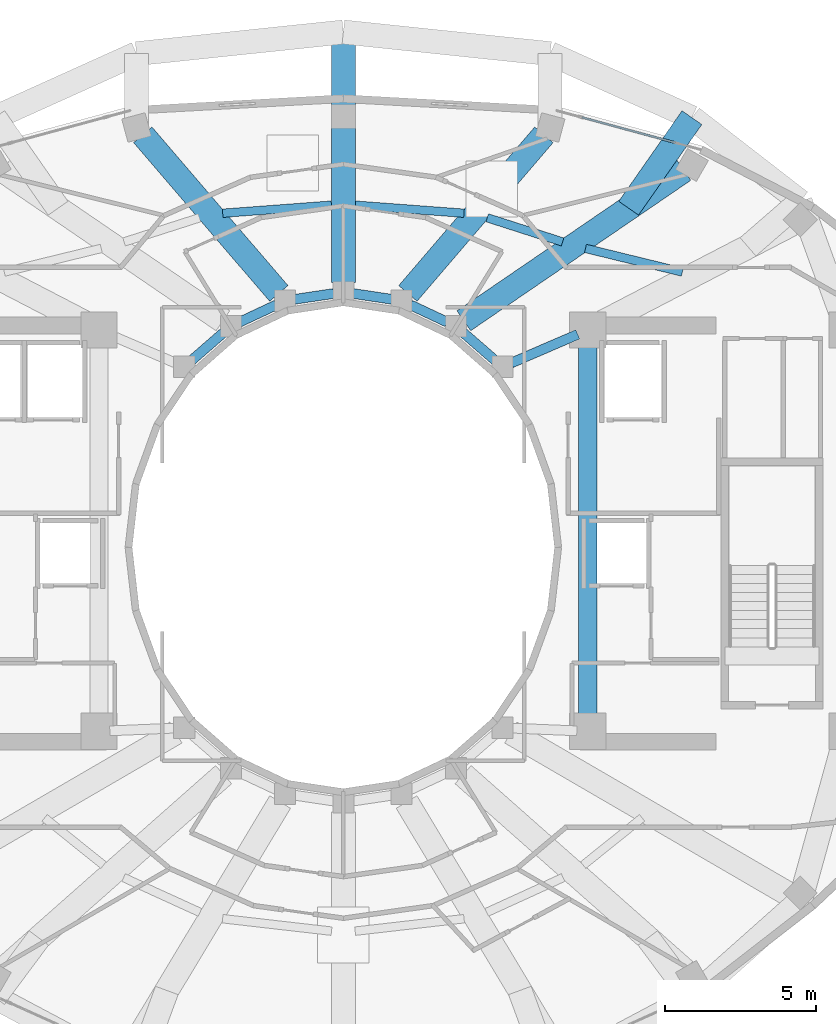
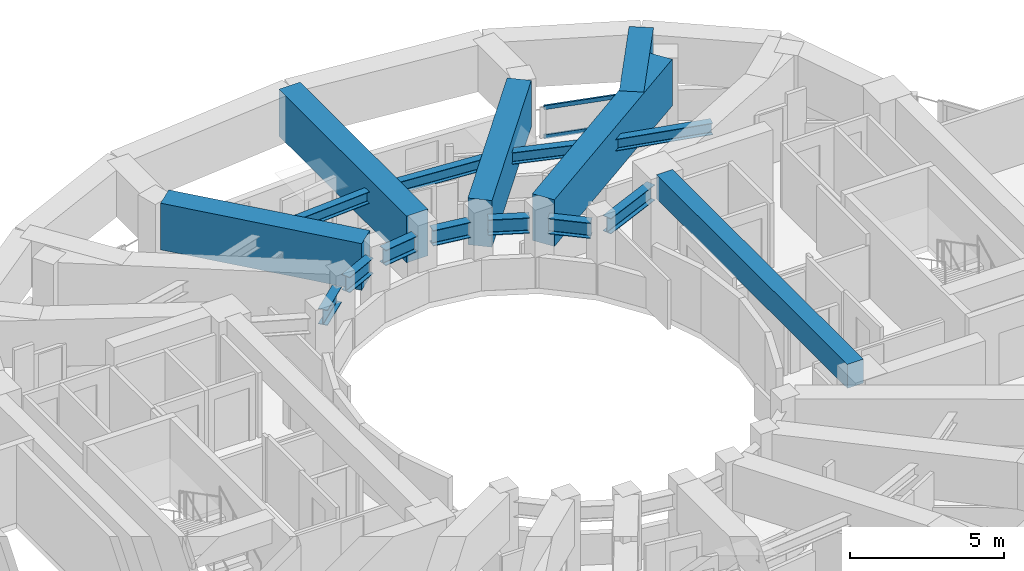
# One storey, part 7 of 20: 17 beams, 2 members, 1 element without a shape of its own.
"""IFC4 building model written with IfcOpenShell, lengths in metres."""

from ifc_helpers import new_model, si_unit, direction, frame, origin, origin_2d, place, context, subcontext, project, spatial, rectangle, hollow_rectangle, i_section, extrude, material, layer, layer_set, material_profile, profile_set, type_object, element, aggregate, save


model = new_model("IFC4")

# Units and contexts
model_context = context("Model", 3, precision=1e-05, world=origin(), true_north=direction((0.0, 1.0)))
body_context = subcontext(model_context, "Body", "Model", "MODEL_VIEW")
ifc_project = project(units=[si_unit("LENGTHUNIT", "METRE"), si_unit("AREAUNIT", "SQUARE_METRE"), si_unit("VOLUMEUNIT", "CUBIC_METRE"), si_unit("PLANEANGLEUNIT", "RADIAN"), si_unit("MASSUNIT", "GRAM", prefix="KILO")], contexts=[model_context])

# Site, building, storey
site_placement = place(None, origin())
site = spatial("IfcSite", under=ifc_project, at=site_placement, CompositionType="ELEMENT")
building_placement = place(site_placement, origin())
building = spatial("IfcBuilding", under=site, at=building_placement, Name="Solvane Sanctuary Tower", CompositionType="ELEMENT")
storey_placement = place(building_placement, frame((0.0, 0.0, 217.10009765625)))
storey = spatial("IfcBuildingStorey", under=building, at=storey_placement, Name="L66", CompositionType="ELEMENT", Elevation=217.10009765625)

# Beams
ifc_material_1 = material(Name="Concrete C70/85", Category="concrete")
ifc_material_profile_1 = material_profile(ifc_material_1, rectangle(XDim=0.60009765625, YDim=0.949951171875, at=origin_2d()), Name="RC600X950")
ifc_profile_set_1 = profile_set([ifc_material_profile_1], Name="Concrete C70/85")
beam_type_1 = type_object("IfcBeamType", Name="Beam B-COUPLE RC600X950", PredefinedType="LINTEL", material=ifc_profile_set_1)
beam_1_placement = place(storey_placement, frame((40.10009765625, 17.35009765625, 2.625), z_axis=(0.0, 1.0, 0.0), x_axis=(-1.0, 0.0, 0.0)))
element("IfcBeam", 1, at=beam_1_placement, inside=storey, type_object=beam_type_1, Name="L66 East Core Coupling Lintel", PredefinedType="LINTEL", context=body_context, shape_type="SweptSolid", body=[
    extrude(rectangle(XDim=0.60009765625, YDim=0.949951171875, at=origin_2d()), origin(), (0.0, 0.0, 1.0), 12.39990234375),
])
ifc_material_2 = material(Name="Steel ASTM A992 Grade 50", Category="steel")
ifc_material_profile_2 = material_profile(ifc_material_2, i_section(OverallWidth=0.324951171875, OverallDepth=0.615966796875, WebThickness=0.013916015625, FlangeThickness=0.021484375, FilletRadius=0.01611328125, at=origin_2d()), Name="W24X117")
ifc_profile_set_2 = profile_set([ifc_material_profile_2], Name="Steel ASTM A992 Grade 50")
beam_type_2 = type_object("IfcBeamType", Name="Beam B-RING-IN2 W24X117", PredefinedType="BEAM", material=ifc_profile_set_2)
beam_2_placement = place(storey_placement, frame((26.96630859375, 29.192138671875, 2.289794921875), z_axis=(0.754388985763, 0.656427648839, 0.0), x_axis=(-0.656427648839, 0.754388985763, 0.0)))
element("IfcBeam", 2, at=beam_2_placement, inside=storey, type_object=beam_type_2, Name="L66 Inner Light-Well Ring Beam IC07-IC06", PredefinedType="BEAM", context=body_context, shape_type="SweptSolid", body=[
    extrude(i_section(OverallWidth=0.324951171875, OverallDepth=0.615966796875, WebThickness=0.013916015625, FlangeThickness=0.021484375, FilletRadius=0.01611328125, at=origin_2d()), origin(), (0.0, 0.0, 1.0), 1.408203125),
])
beam_3_placement = place(storey_placement, frame((28.5595703125, 30.462646484375, 2.289794921875), z_axis=(0.905134542189, 0.425125229241, 0.0), x_axis=(-0.425125229241, 0.905134542189, 0.0)))
element("IfcBeam", 3, at=beam_3_placement, inside=storey, type_object=beam_type_2, Name="L66 Inner Light-Well Ring Beam IC06-IC05", PredefinedType="BEAM", context=body_context, shape_type="SweptSolid", body=[
    extrude(i_section(OverallWidth=0.324951171875, OverallDepth=0.615966796875, WebThickness=0.013916015625, FlangeThickness=0.021484375, FilletRadius=0.01611328125, at=origin_2d()), origin(), (0.0, 0.0, 1.0), 1.347900390625),
])
for number, where, z_axis, x_axis, name in (
    (4, (30.3857421875, 31.218994140625, 2.289794921875), (0.989056121481, 0.147539786368, 0.0), (-0.147539786368, 0.989056121481, 0.0), "L66 Inner Light-Well Ring Beam IC05-IC04"),
    (5, (32.31640625, 31.41259765625, 2.289794921875), (0.989056121481, -0.147539786368, 0.0), (0.147539786368, 0.989056121481, 0.0), "L66 Inner Light-Well Ring Beam IC04-IC03"),
):
    element("IfcBeam", number, at=place(storey_placement, frame(where, z_axis=z_axis, x_axis=x_axis)), inside=storey, type_object=beam_type_2, Name=name, PredefinedType="BEAM", context=body_context, shape_type="SweptSolid", body=[
        extrude(i_section(OverallWidth=0.324951171875, OverallDepth=0.615966796875, WebThickness=0.013916015625, FlangeThickness=0.021484375, FilletRadius=0.01611328125, at=origin_2d()), origin(), (0.0, 0.0, 1.0), 1.312255859375),
    ])
beam_4_placement = place(storey_placement, frame((34.220458984375, 31.03564453125, 2.289794921875), z_axis=(0.905134542189, -0.425125229241, 0.0), x_axis=(0.425125229241, 0.905134542189, 0.0)))
element("IfcBeam", 6, at=beam_4_placement, inside=storey, type_object=beam_type_2, Name="L66 Inner Light-Well Ring Beam IC03-IC02", PredefinedType="BEAM", context=body_context, shape_type="SweptSolid", body=[
    extrude(i_section(OverallWidth=0.324951171875, OverallDepth=0.615966796875, WebThickness=0.013916015625, FlangeThickness=0.021484375, FilletRadius=0.01611328125, at=origin_2d()), origin(), (0.0, 0.0, 1.0), 1.347900390625),
])
beam_5_placement = place(storey_placement, frame((35.971435546875, 30.116455078125, 2.289794921875), z_axis=(0.754388985763, -0.656427648839, 0.0), x_axis=(0.656427648839, 0.754388985763, 0.0)))
element("IfcBeam", 7, at=beam_5_placement, inside=storey, type_object=beam_type_2, Name="L66 Inner Light-Well Ring Beam IC02-IC01", PredefinedType="BEAM", context=body_context, shape_type="SweptSolid", body=[
    extrude(i_section(OverallWidth=0.324951171875, OverallDepth=0.615966796875, WebThickness=0.013916015625, FlangeThickness=0.021484375, FilletRadius=0.01611328125, at=origin_2d()), origin(), (0.0, 0.0, 1.0), 1.408203125),
])
beam_6_placement = place(storey_placement, frame((37.56884765625, 29.10888671875, 2.289794921875), z_axis=(0.918283854026, 0.395922673554, 0.0), x_axis=(-0.395922673554, 0.918283854026, 0.0)))
element("IfcBeam", 8, at=beam_6_placement, inside=storey, type_object=beam_type_2, Name="L66 Inner Light-Well Ring Beam IC01-CE4", PredefinedType="BEAM", context=body_context, shape_type="SweptSolid", body=[
    extrude(i_section(OverallWidth=0.324951171875, OverallDepth=0.615966796875, WebThickness=0.013916015625, FlangeThickness=0.021484375, FilletRadius=0.01611328125, at=origin_2d()), origin(), (0.0, 0.0, 1.0), 2.396240234375),
])
ifc_material_profile_3 = material_profile(ifc_material_2, i_section(OverallWidth=0.280029296875, OverallDepth=0.462890625, WebThickness=0.0107421875, FlangeThickness=0.017333984375, FilletRadius=0.013916015625, at=origin_2d()), Name="W18X76")
ifc_profile_set_3 = profile_set([ifc_material_profile_3], Name="Steel ASTM A992 Grade 50")
beam_type_3 = type_object("IfcBeamType", Name="Beam B-SEC-JOIST W18X76", PredefinedType="JOIST", material=ifc_profile_set_3)
for number, where, z_axis, x_axis, name in (
    (9, (28.00048828125, 34.072265625, 2.366455078125), (0.997237826885, 0.074274602856, 0.0), (-0.074274602856, 0.997237826885, 0.0), "L66 Secondary Circumferential Joist 05-04"),
    (10, (32.393798828125, 34.3408203125, 2.366455078125), (0.997237826885, -0.074274602856, 0.0), (0.074274602856, 0.997237826885, 0.0), "L66 Secondary Circumferential Joist 04-03"),
):
    element("IfcBeam", number, at=place(storey_placement, frame(where, z_axis=z_axis, x_axis=x_axis)), inside=storey, type_object=beam_type_3, Name=name, PredefinedType="JOIST", context=body_context, shape_type="SweptSolid", body=[
        extrude(i_section(OverallWidth=0.280029296875, OverallDepth=0.462890625, WebThickness=0.0107421875, FlangeThickness=0.017333984375, FilletRadius=0.013916015625, at=origin_2d()), origin(), (0.0, 0.0, 1.0), 3.61572265625),
    ])
beam_7_placement = place(storey_placement, frame((36.76953125, 33.922119140625, 2.366455078125), z_axis=(0.952143766749, -0.305650531557, 0.0), x_axis=(0.305650531557, 0.952143766749, 0.0)))
element("IfcBeam", 11, at=beam_7_placement, inside=storey, type_object=beam_type_3, Name="L66 Secondary Circumferential Joist 03-02", PredefinedType="JOIST", context=body_context, shape_type="SweptSolid", body=[
    extrude(i_section(OverallWidth=0.280029296875, OverallDepth=0.462890625, WebThickness=0.0107421875, FlangeThickness=0.017333984375, FilletRadius=0.013916015625, at=origin_2d()), origin(), (0.0, 0.0, 1.0), 2.622314453125),
])
beam_8_placement = place(storey_placement, frame((40.026123046875, 32.906005859375, 2.366455078125), z_axis=(0.971495047049, -0.237059852274, 0.0), x_axis=(0.237059852274, 0.971495047049, 0.0)))
element("IfcBeam", 12, at=beam_8_placement, inside=storey, type_object=beam_type_3, Name="L66 Secondary Circumferential Joist 02-01", PredefinedType="JOIST", context=body_context, shape_type="SweptSolid", body=[
    extrude(i_section(OverallWidth=0.280029296875, OverallDepth=0.462890625, WebThickness=0.0107421875, FlangeThickness=0.017333984375, FilletRadius=0.013916015625, at=origin_2d()), origin(), (0.0, 0.0, 1.0), 3.306884765625),
])
ifc_material_profile_4 = material_profile(ifc_material_1, rectangle(XDim=0.800048828125, YDim=1.85009765625, at=origin_2d()), Name="RC800X1850")
ifc_profile_set_4 = profile_set([ifc_material_profile_4], Name="Concrete C70/85")
beam_type_4 = type_object("IfcBeamType", Name="Beam B-XFER-BLK RC800X1850", PredefinedType="BEAM", material=ifc_profile_set_4)
beam_9_placement = place(storey_placement, frame((35.994140625, 30.507080078125, 2.1748046875), z_axis=(0.825702118839, 0.564106382648, 0.0), x_axis=(-0.564106382648, 0.825702118839, 0.0)))
element("IfcBeam", 13, at=beam_9_placement, inside=storey, type_object=beam_type_4, Name="L66 Block-Shift Radial Transfer Girder 02A", PredefinedType="BEAM", context=body_context, shape_type="SweptSolid", body=[
    extrude(rectangle(XDim=0.800048828125, YDim=1.85009765625, at=origin_2d()), origin(), (0.0, 0.0, 1.0), 8.837158203125),
])
beam_10_placement = place(storey_placement, frame((41.456787109375, 34.239013671875, 2.1748046875), z_axis=(0.572853840349, 0.819657536778, 0.0), x_axis=(-0.819657536778, 0.572853840349, 0.0)))
element("IfcBeam", 14, at=beam_10_placement, inside=storey, type_object=beam_type_4, Name="L66 Block-Shift Transfer Tie 02B", PredefinedType="BEAM", context=body_context, shape_type="SweptSolid", body=[
    extrude(rectangle(XDim=0.800048828125, YDim=1.85009765625, at=origin_2d()), origin(), (0.0, 0.0, 1.0), 3.6630859375),
])
beam_11_placement = place(storey_placement, frame((34.13916015625, 31.41455078125, 2.1748046875), z_axis=(0.651014889966, 0.759064959699, 0.0), x_axis=(-0.759064959699, 0.651014889966, 0.0)))
element("IfcBeam", 15, at=beam_11_placement, inside=storey, type_object=beam_type_4, Name="L66 Block-Shift Radial Transfer Girder 03A", PredefinedType="BEAM", context=body_context, shape_type="SweptSolid", body=[
    extrude(rectangle(XDim=0.800048828125, YDim=1.85009765625, at=origin_2d()), origin(), (0.0, 0.0, 1.0), 6.92529296875),
])
beam_12_placement = place(storey_placement, frame((32.0, 31.780029296875, 2.1748046875), z_axis=(0.0, 1.0, 0.0), x_axis=(-1.0, 0.0, 0.0)))
element("IfcBeam", 16, at=beam_12_placement, inside=storey, type_object=beam_type_4, Name="L66 Block-Shift Radial Transfer Girder 04A", PredefinedType="BEAM", context=body_context, shape_type="SweptSolid", body=[
    extrude(rectangle(XDim=0.800048828125, YDim=1.85009765625, at=origin_2d()), origin(), (0.0, 0.0, 1.0), 8.300048828125),
])
beam_13_placement = place(storey_placement, frame((29.86083984375, 31.41455078125, 2.1748046875), z_axis=(-0.651014889966, 0.759064959699, 0.0), x_axis=(-0.759064959699, -0.651014889966, 0.0)))
element("IfcBeam", 17, at=beam_13_placement, inside=storey, type_object=beam_type_4, Name="L66 Block-Shift Radial Transfer Girder 05A", PredefinedType="BEAM", context=body_context, shape_type="SweptSolid", body=[
    extrude(rectangle(XDim=0.800048828125, YDim=1.85009765625, at=origin_2d()), origin(), (0.0, 0.0, 1.0), 6.92529296875),
])

# Curtain wall, members
ifc_material_3 = material(Name="Anodised Aluminium 6063-T6", Category="aluminium")
ifc_layer = layer(ifc_material_3, 0.18994140625, Name="Anodised Aluminium 6063-T6")
ifc_layer_set = layer_set([ifc_layer], Name="Anodised Aluminium 6063-T6")
curtain_wall_type = type_object("IfcCurtainWallType", Name="Curtain Wall CW-OPER", PredefinedType="NOTDEFINED", material=ifc_layer_set)
curtain_wall_placement = place(storey_placement, origin())
curtain_wall = element("IfcCurtainWall", 18, at=curtain_wall_placement, inside=storey, type_object=curtain_wall_type, Name="L66 CW-OPER Facade Run 04", PredefinedType="NOTDEFINED")
ifc_material_profile_5 = material_profile(ifc_material_3, hollow_rectangle(XDim=0.06494140625, YDim=0.159912109375, WallThickness=0.00341796875, at=origin_2d()), Name="ALU160X65X3.5")
ifc_profile_set_5 = profile_set([ifc_material_profile_5], Name="Anodised Aluminium 6063-T6")
member_type = type_object("IfcMemberType", Name="Member M-CW-TRN-1 ALU160X65X3.5", PredefinedType="USERDEFINED", material=ifc_profile_set_5)
member_1_placement = place(storey_placement, frame((43.006103515625, 36.4111328125, 0.032470703125), z_axis=(-0.965206383787, 0.261489266885, 0.0), x_axis=(-0.261489266885, -0.965206383787, 0.0)))
member_1 = element("IfcMember", 19, at=member_1_placement, type_object=member_type, Name="CW-OPER transom 1.1", ObjectType="TRANSOM", PredefinedType="USERDEFINED", context=body_context, shape_type="SweptSolid", body=[
    extrude(hollow_rectangle(XDim=0.06494140625, YDim=0.159912109375, WallThickness=0.00341796875, at=origin_2d()), origin(), (0.0, 0.0, 1.0), 3.2109375),
])
member_2_placement = place(storey_placement, frame((43.006103515625, 36.4111328125, 1.1875), z_axis=(-0.965206383787, 0.261489266885, 0.0), x_axis=(-0.261489266885, -0.965206383787, 0.0)))
member_2 = element("IfcMember", 20, at=member_2_placement, type_object=member_type, Name="CW-OPER transom 1.2", ObjectType="TRANSOM", PredefinedType="USERDEFINED", context=body_context, shape_type="SweptSolid", body=[
    extrude(hollow_rectangle(XDim=0.06494140625, YDim=0.159912109375, WallThickness=0.00341796875, at=origin_2d()), origin(), (0.0, 0.0, 1.0), 3.2109375),
])
aggregate(curtain_wall, [member_1, member_2])

save(model, "model.ifc")
